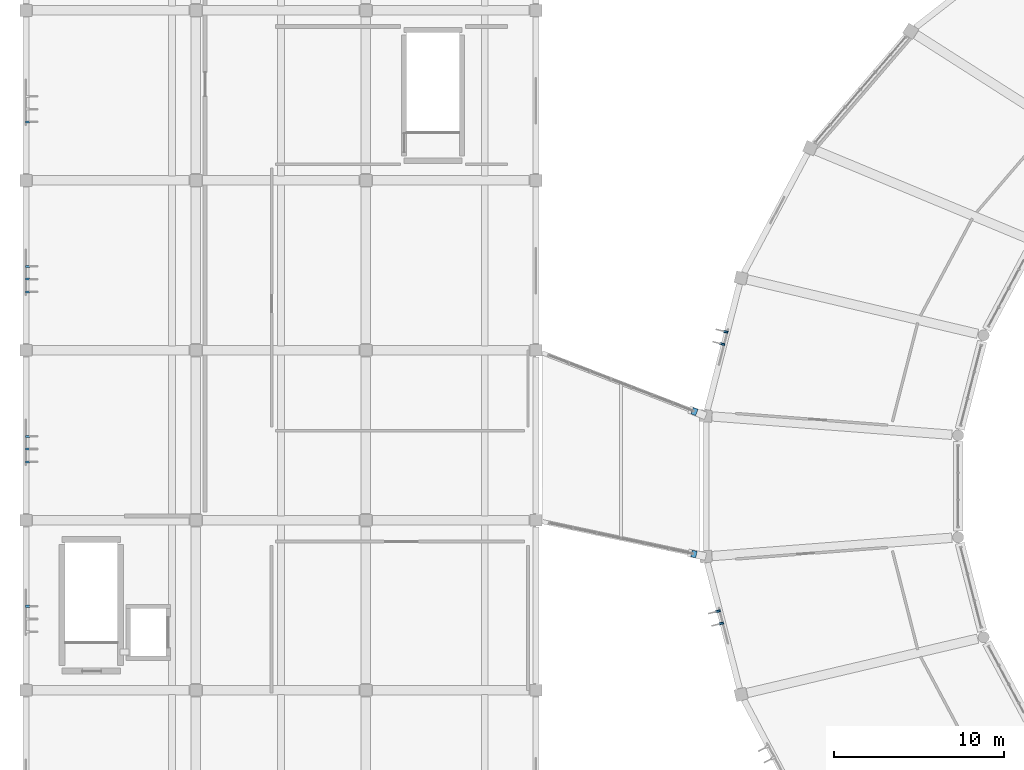
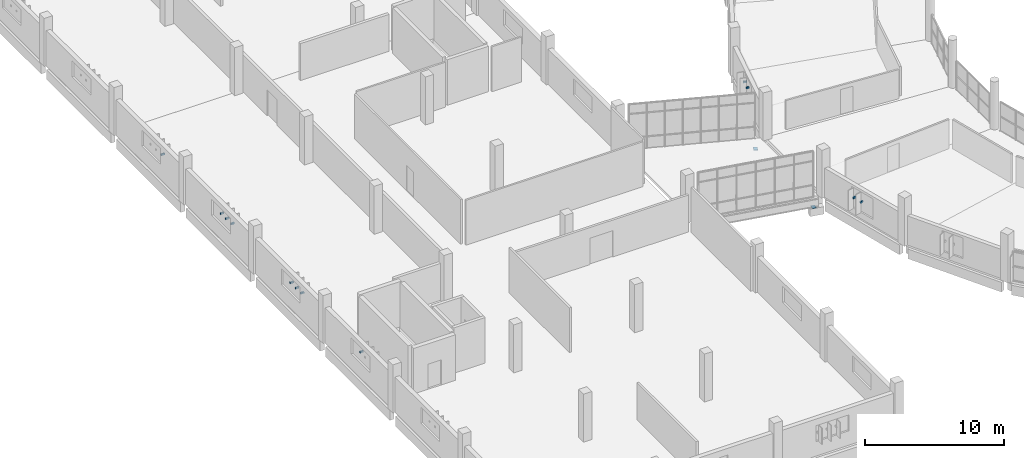
# One storey, part 110 of 142: 14 discrete accessories.
"""IFC4 building model written with IfcOpenShell, lengths in metres."""

from ifc_helpers import new_model, si_unit, direction, frame, origin, origin_2d, place, context, subcontext, project, spatial, rectangle, extrude, material, type_object, element, save


model = new_model("IFC4")

# Units and contexts
model_context = context("Model", 3, precision=1e-05, world=origin(), true_north=direction((0.0, 1.0)))
body_context = subcontext(model_context, "Body", "Model", "MODEL_VIEW")
ifc_project = project(units=[si_unit("LENGTHUNIT", "METRE"), si_unit("AREAUNIT", "SQUARE_METRE"), si_unit("VOLUMEUNIT", "CUBIC_METRE"), si_unit("PLANEANGLEUNIT", "RADIAN"), si_unit("MASSUNIT", "GRAM", prefix="KILO")], contexts=[model_context])

# Site, building, storey
site_placement = place(None, origin())
site = spatial("IfcSite", under=ifc_project, at=site_placement, CompositionType="ELEMENT")
building_placement = place(site_placement, origin())
building = spatial("IfcBuilding", under=site, at=building_placement, Name="Corvandel Quay Wholesale Market", CompositionType="ELEMENT")
storey_placement = place(building_placement, frame((0.0, 0.0, 10.800048828125)))
storey = spatial("IfcBuildingStorey", under=building, at=storey_placement, Name="L02", CompositionType="ELEMENT", Elevation=10.800048828125)

# Discrete accessories
ifc_material_1 = material(Name="Austenitic stainless steel Grade 316", Category="steel")
discrete_accessory_type_1 = type_object("IfcDiscreteAccessoryType", Name="Stainless Solar Fin Fixing Bracket BRK01", PredefinedType="USERDEFINED", material=ifc_material_1)
for number, where, z_axis, x_axis, name in (
    (1, (61.16357421875, 51.09033203125, 1.3798828125), (0.0, 0.0, 1.0), (-0.968843057437, 0.247675453076, 0.0), "Fin Bracket 0038"),
    (2, (60.977783203125, 50.36376953125, 1.3798828125), (0.0, 0.0, 1.0), (-0.968843057437, 0.247675453076, 0.0), "Fin Bracket 0039"),
    (3, (60.7177734375, 34.652587890625, 1.3798828125), (0.0, 0.0, 1.0), (0.968843057437, 0.247675453076, 0.0), "Fin Bracket 0046"),
    (4, (60.903564453125, 33.926025390625, 1.3798828125), (0.0, 0.0, 1.0), (0.968843057437, 0.247675453076, 0.0), "Fin Bracket 0047"),
    (5, (20.10009765625, 34.93994140625, 1.93017578125), (0.0, 0.0, 1.0), (1.0, 0.0, 0.0), "Fin Bracket 0695"),
    (6, (20.10009765625, 43.43994140625, 1.93017578125), (0.0, 0.0, 1.0), (1.0, 0.0, 0.0), "Fin Bracket 0698"),
    (7, (20.10009765625, 44.18994140625, 1.93017578125), (0.0, 0.0, 1.0), (1.0, 0.0, 0.0), "Fin Bracket 0699"),
    (8, (20.10009765625, 44.93994140625, 1.93017578125), (0.0, 0.0, 1.0), (1.0, 0.0, 0.0), "Fin Bracket 0700"),
    (9, (20.10009765625, 53.43994140625, 1.93017578125), (0.0, 0.0, 1.0), (1.0, 0.0, 0.0), "Fin Bracket 0703"),
    (10, (20.10009765625, 54.18994140625, 1.93017578125), (0.0, 0.0, 1.0), (1.0, 0.0, 0.0), "Fin Bracket 0704"),
    (11, (20.10009765625, 54.93994140625, 1.93017578125), (0.0, 0.0, 1.0), (1.0, 0.0, 0.0), "Fin Bracket 0705"),
    (12, (20.10009765625, 63.43994140625, 1.93017578125), (0.0, 0.0, 1.0), (1.0, 0.0, 0.0), "Fin Bracket 0708"),
):
    element("IfcDiscreteAccessory", number, at=place(storey_placement, frame(where, z_axis=z_axis, x_axis=x_axis)), inside=storey, type_object=discrete_accessory_type_1, Name=name, ObjectType="BRACKET", PredefinedType="USERDEFINED", context=body_context, shape_type="SweptSolid", body=[
        extrude(rectangle(XDim=0.280029296875, YDim=0.1201171875, at=origin_2d()), origin(), (0.0, 0.0, 1.0), 0.139892578125),
    ])
ifc_material_2 = material(Name="PTFE elastomeric bearing assembly")
discrete_accessory_type_2 = type_object("IfcDiscreteAccessoryType", Name="Unguided Bi-Directional PTFE Sliding Bearing SBG01", PredefinedType="USERDEFINED", material=ifc_material_2)
for number, where, z_axis, x_axis, name in (
    (13, (59.30078125, 38.012451171875, -0.943115234375), (0.0, 0.0, 1.0), (-0.977929339831, 0.208935890402, 0.0), "PTFE Sliding Bearing SBG-009"),
    (14, (59.3330078125, 46.39453125, -0.943115234375), (0.0, 0.0, 1.0), (-0.932827815397, 0.3603224484, 0.0), "PTFE Sliding Bearing SBG-010"),
):
    element("IfcDiscreteAccessory", number, at=place(storey_placement, frame(where, z_axis=z_axis, x_axis=x_axis)), inside=storey, type_object=discrete_accessory_type_2, Name=name, ObjectType="SLIDING BEARING", PredefinedType="USERDEFINED", context=body_context, shape_type="SweptSolid", body=[
        extrude(rectangle(XDim=0.300048828125, YDim=0.39990234375, at=origin_2d()), origin(), (0.0, 0.0, 1.0), 0.0400390625),
    ])

save(model, "model.ifc")
